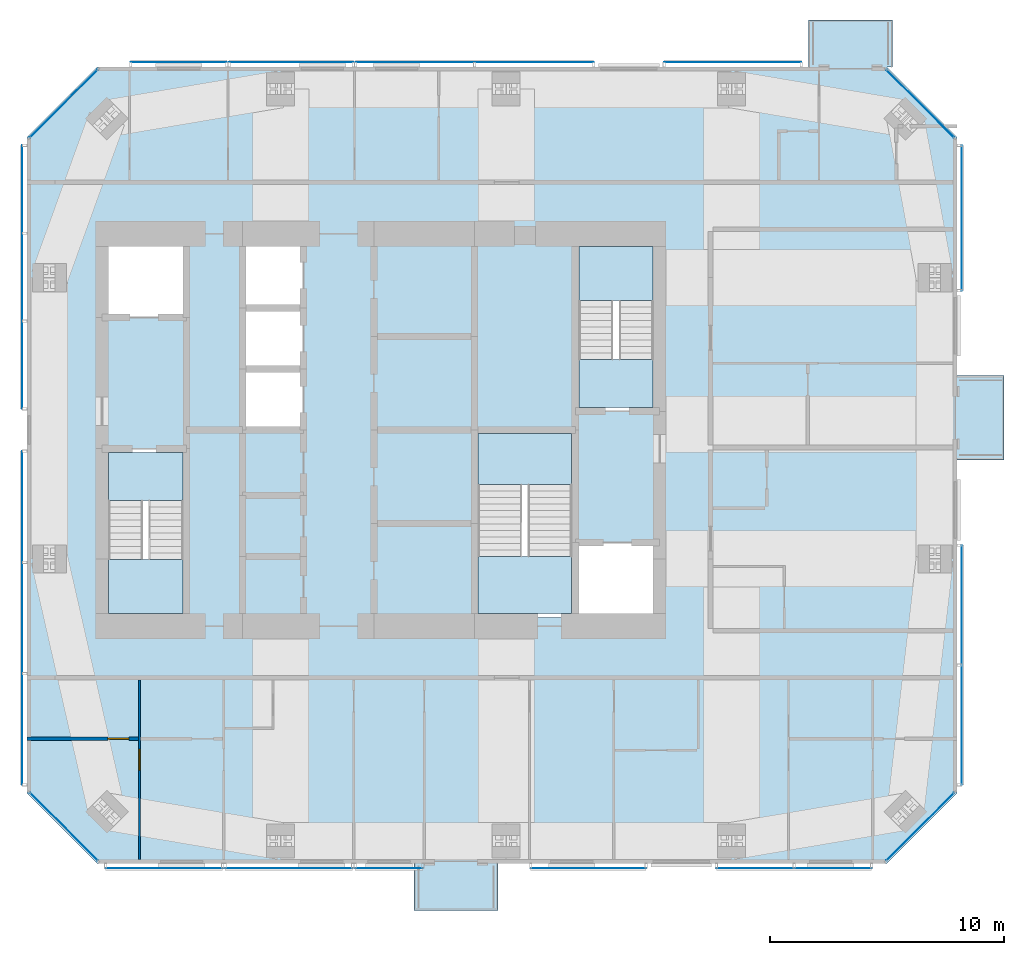
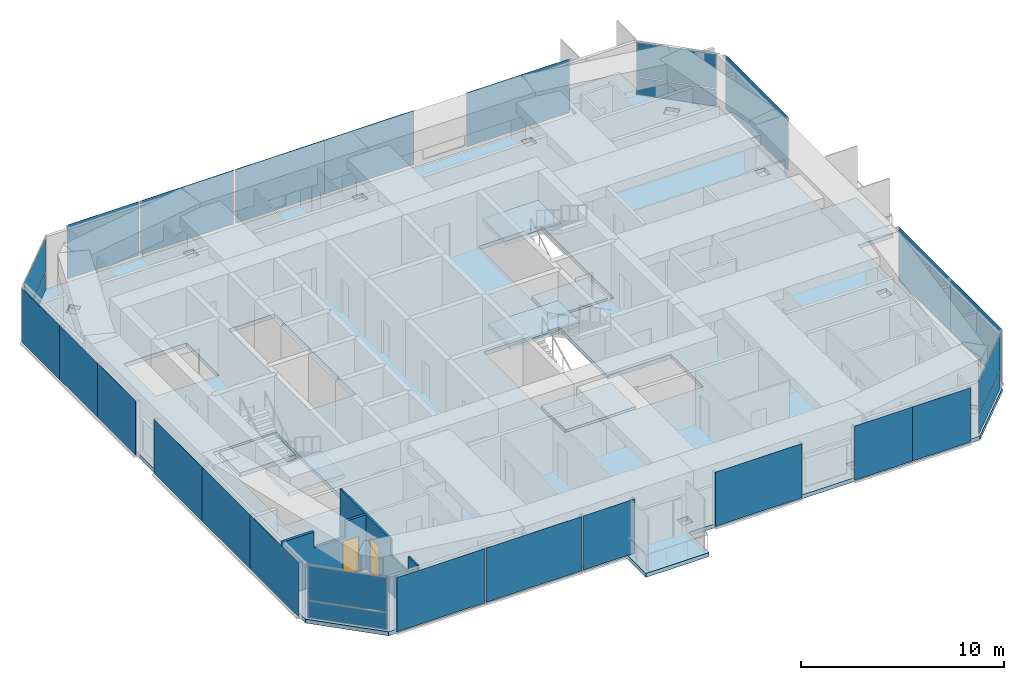
# One storey, part 12 of 18: 28 plates, 7 slabs, 2 doors, 2 walls, 2 openings, 20 elements without a shape of their own.
"""IFC4 building model written with IfcOpenShell, lengths in metres."""

from ifc_helpers import new_model, si_unit, direction, frame, frame_2d, origin, origin_2d, place, context, subcontext, project, spatial, polyline, rectangle, outline, extrude, material, layer, layer_set, constituent, constituent_set, type_object, element, fill, aggregate, save


model = new_model("IFC4")

# Units and contexts
model_context = context("Model", 3, precision=1e-05, world=origin(), true_north=direction((0.0, 1.0)))
body_context = subcontext(model_context, "Body", "Model", "MODEL_VIEW")
ifc_project = project(units=[si_unit("LENGTHUNIT", "METRE"), si_unit("AREAUNIT", "SQUARE_METRE"), si_unit("VOLUMEUNIT", "CUBIC_METRE"), si_unit("PLANEANGLEUNIT", "RADIAN"), si_unit("MASSUNIT", "GRAM", prefix="KILO")], contexts=[model_context])

# Site, building, storey
site_placement = place(None, origin())
site = spatial("IfcSite", under=ifc_project, at=site_placement, CompositionType="ELEMENT")
building_placement = place(site_placement, origin())
building = spatial("IfcBuilding", under=site, at=building_placement, Name="Jalousie Tower", CompositionType="ELEMENT")
storey_placement = place(building_placement, frame((0.0, 0.0, 256.449951171875)))
storey = spatial("IfcBuildingStorey", under=building, at=storey_placement, Name="L70", CompositionType="ELEMENT", Elevation=256.449951171875)

# Curtain wall, plates
ifc_material_1 = material(Name="Aluminium curtain wall", Category="aluminium")
curtain_wall_type_1 = type_object("IfcCurtainWallType", Name="CORNER WINDOW WALL", PredefinedType="USERDEFINED", material=ifc_material_1)
curtain_wall_1_placement = place(storey_placement, origin())
curtain_wall_1 = element("IfcCurtainWall", 1, at=curtain_wall_1_placement, inside=storey, type_object=curtain_wall_type_1, Name="Corner Window Wall L70 2", ObjectType="CORNER WINDOW WALL", PredefinedType="USERDEFINED")
ifc_material_2 = material(Name="Laminated impact-rated spandrel glass", Category="glass")
ifc_layer_1 = layer(ifc_material_2, 0.028076171875)
ifc_layer_set_1 = layer_set([ifc_layer_1], Name="Laminated impact-rated spandrel glass")
plate_type_1 = type_object("IfcPlateType", Name="CORNER WINDOW WALL PANEL", PredefinedType="CURTAIN_PANEL", material=ifc_layer_set_1)
plate_1_placement = place(storey_placement, frame((54.9306640625, 1.5693359375, 0.06005859375), z_axis=(0.0, 0.0, 1.0), x_axis=(0.707106781187, 0.707106781187, 0.0)))
plate_1 = element("IfcPlate", 2, at=plate_1_placement, type_object=plate_type_1, Name="CW-C panel 1.1", PredefinedType="CURTAIN_PANEL", context=body_context, shape_type="SweptSolid", body=[
    extrude(rectangle(XDim=4.071533203125, YDim=0.028076171875, at=origin_2d()), origin(), (0.0, 0.0, 1.0), 1.010009765625),
])
plate_2_placement = place(storey_placement, frame((54.9306640625, 1.5693359375, 1.1298828125), z_axis=(0.0, 0.0, 1.0), x_axis=(0.707106781187, 0.707106781187, 0.0)))
plate_2 = element("IfcPlate", 3, at=plate_2_placement, type_object=plate_type_1, Name="CW-C panel 1.2", PredefinedType="CURTAIN_PANEL", context=body_context, shape_type="SweptSolid", body=[
    extrude(rectangle(XDim=4.071533203125, YDim=0.028076171875, at=origin_2d()), origin(), (0.0, 0.0, 1.0), 2.070068359375),
])
aggregate(curtain_wall_1, [plate_1, plate_2])

curtain_wall_2_placement = place(storey_placement, origin())
curtain_wall_2 = element("IfcCurtainWall", 4, at=curtain_wall_2_placement, inside=storey, type_object=curtain_wall_type_1, Name="Corner Window Wall L70 4", ObjectType="CORNER WINDOW WALL", PredefinedType="USERDEFINED")
plate_3_placement = place(storey_placement, frame((54.9306640625, 32.4306640625, 0.06005859375), z_axis=(0.0, 0.0, 1.0), x_axis=(-0.707106781187, 0.707106781187, 0.0)))
plate_3 = element("IfcPlate", 5, at=plate_3_placement, type_object=plate_type_1, Name="CW-C panel 1.1", PredefinedType="CURTAIN_PANEL", context=body_context, shape_type="SweptSolid", body=[
    extrude(rectangle(XDim=4.071533203125, YDim=0.028076171875, at=origin_2d()), origin(), (0.0, 0.0, 1.0), 1.010009765625),
])
plate_4_placement = place(storey_placement, frame((54.9306640625, 32.4306640625, 1.1298828125), z_axis=(0.0, 0.0, 1.0), x_axis=(-0.707106781187, 0.707106781187, 0.0)))
plate_4 = element("IfcPlate", 6, at=plate_4_placement, type_object=plate_type_1, Name="CW-C panel 1.2", PredefinedType="CURTAIN_PANEL", context=body_context, shape_type="SweptSolid", body=[
    extrude(rectangle(XDim=4.071533203125, YDim=0.028076171875, at=origin_2d()), origin(), (0.0, 0.0, 1.0), 2.070068359375),
])
aggregate(curtain_wall_2, [plate_3, plate_4])

curtain_wall_3_placement = place(storey_placement, origin())
curtain_wall_3 = element("IfcCurtainWall", 7, at=curtain_wall_3_placement, inside=storey, type_object=curtain_wall_type_1, Name="Corner Window Wall L70 6", ObjectType="CORNER WINDOW WALL", PredefinedType="USERDEFINED")
plate_5_placement = place(storey_placement, frame((18.369384765625, 32.4306640625, 0.06005859375), z_axis=(0.0, 0.0, 1.0), x_axis=(-0.707106781187, -0.707106781187, 0.0)))
plate_5 = element("IfcPlate", 8, at=plate_5_placement, type_object=plate_type_1, Name="CW-C panel 1.1", PredefinedType="CURTAIN_PANEL", context=body_context, shape_type="SweptSolid", body=[
    extrude(rectangle(XDim=4.071533203125, YDim=0.028076171875, at=origin_2d()), origin(), (0.0, 0.0, 1.0), 1.010009765625),
])
plate_6_placement = place(storey_placement, frame((18.369384765625, 32.4306640625, 1.1298828125), z_axis=(0.0, 0.0, 1.0), x_axis=(-0.707106781187, -0.707106781187, 0.0)))
plate_6 = element("IfcPlate", 9, at=plate_6_placement, type_object=plate_type_1, Name="CW-C panel 1.2", PredefinedType="CURTAIN_PANEL", context=body_context, shape_type="SweptSolid", body=[
    extrude(rectangle(XDim=4.071533203125, YDim=0.028076171875, at=origin_2d()), origin(), (0.0, 0.0, 1.0), 2.070068359375),
])
aggregate(curtain_wall_3, [plate_5, plate_6])

curtain_wall_4_placement = place(storey_placement, origin())
curtain_wall_4 = element("IfcCurtainWall", 10, at=curtain_wall_4_placement, inside=storey, type_object=curtain_wall_type_1, Name="Corner Window Wall L70 8", ObjectType="CORNER WINDOW WALL", PredefinedType="USERDEFINED")
plate_7_placement = place(storey_placement, frame((18.369384765625, 1.5693359375, 0.06005859375), z_axis=(0.0, 0.0, 1.0), x_axis=(0.707106781187, -0.707106781187, 0.0)))
plate_7 = element("IfcPlate", 11, at=plate_7_placement, type_object=plate_type_1, Name="CW-C panel 1.1", PredefinedType="CURTAIN_PANEL", context=body_context, shape_type="SweptSolid", body=[
    extrude(rectangle(XDim=4.071533203125, YDim=0.028076171875, at=origin_2d()), origin(), (0.0, 0.0, 1.0), 1.010009765625),
])
plate_8_placement = place(storey_placement, frame((18.369384765625, 1.5693359375, 1.1298828125), z_axis=(0.0, 0.0, 1.0), x_axis=(0.707106781187, -0.707106781187, 0.0)))
plate_8 = element("IfcPlate", 12, at=plate_8_placement, type_object=plate_type_1, Name="CW-C panel 1.2", PredefinedType="CURTAIN_PANEL", context=body_context, shape_type="SweptSolid", body=[
    extrude(rectangle(XDim=4.071533203125, YDim=0.028076171875, at=origin_2d()), origin(), (0.0, 0.0, 1.0), 2.070068359375),
])
aggregate(curtain_wall_4, [plate_7, plate_8])

# Slab
ifc_material_3 = material(Name="Concrete f'c 40 MPa", Category="concrete")
ifc_layer_2 = layer(ifc_material_3, 0.239990234375)
ifc_layer_set_2 = layer_set([ifc_layer_2], Name="Concrete f'c 40 MPa")
slab_type_1 = type_object("IfcSlabType", Name="FLOOR SLAB 240", PredefinedType="FLOOR", material=ifc_layer_set_2)
slab_1_placement = place(storey_placement, frame((0.0, 0.0, -0.239990234375)))
element("IfcSlab", 13, at=slab_1_placement, inside=storey, type_object=slab_type_1, Name="L70 floor slab", PredefinedType="FLOOR", context=body_context, shape_type="SweptSolid", body=[
    extrude(outline(polyline([(19.800048828125, 34.0), (50.148681640625, 34.0), (50.148681640625, 36.0), (53.748779296875, 36.0), (53.748779296875, 34.0), (53.5, 34.0), (56.5, 31.0), (56.5, 20.824951171875), (58.5, 20.824951171875), (58.5, 17.22509765625), (56.5, 17.22509765625), (56.5, 3.0), (53.5, 0.0), (36.909912109375, 0.0), (36.909912109375, -2.0), (33.31005859375, -2.0), (33.31005859375, 0.0), (19.800048828125, 0.0), (16.800048828125, 3.0), (16.800048828125, 31.0), (19.800048828125, 34.0)]), holes=[polyline([(55.263916015625, 25.300048828125), (55.263916015625, 24.699951171875), (55.836181640625, 24.699951171875), (55.836181640625, 25.300048828125), (55.263916015625, 25.300048828125)]), polyline([(55.836181640625, 12.699951171875), (55.836181640625, 13.300048828125), (55.263916015625, 13.300048828125), (55.263916015625, 12.699951171875), (55.836181640625, 12.699951171875)]), polyline([(54.337890625, 2.656982421875), (53.843017578125, 2.162109375), (54.247802734375, 1.757080078125), (54.742919921875, 2.252197265625), (54.337890625, 2.656982421875)]), polyline([(54.742919921875, 31.747802734375), (54.247802734375, 32.242919921875), (53.843017578125, 31.837890625), (54.337890625, 31.343017578125), (54.742919921875, 31.747802734375)]), polyline([(47.175048828125, 33.336181640625), (46.574951171875, 33.336181640625), (46.574951171875, 32.763916015625), (47.175048828125, 32.763916015625), (47.175048828125, 33.336181640625)]), polyline([(47.175048828125, 1.236083984375), (46.574951171875, 1.236083984375), (46.574951171875, 0.663818359375), (47.175048828125, 0.663818359375), (47.175048828125, 1.236083984375)]), polyline([(40.199951171875, 26.5), (40.199951171875, 19.300048828125), (43.800048828125, 19.300048828125), (43.800048828125, 26.5), (40.199951171875, 26.5)]), polyline([(40.199951171875, 13.699951171875), (40.199951171875, 18.5), (35.89990234375, 18.5), (35.89990234375, 10.5), (43.800048828125, 10.5), (43.800048828125, 13.699951171875), (40.199951171875, 13.699951171875)]), polyline([(36.949951171875, 0.663818359375), (37.550048828125, 0.663818359375), (37.550048828125, 1.236083984375), (36.949951171875, 1.236083984375), (36.949951171875, 0.663818359375)]), polyline([(37.550048828125, 33.336181640625), (36.949951171875, 33.336181640625), (36.949951171875, 32.763916015625), (37.550048828125, 32.763916015625), (37.550048828125, 33.336181640625)]), polyline([(26.0, 26.5), (26.0, 18.5), (28.60009765625, 18.5), (28.60009765625, 26.5), (26.0, 26.5)]), polyline([(27.925048828125, 33.336181640625), (27.324951171875, 33.336181640625), (27.324951171875, 32.763916015625), (27.925048828125, 32.763916015625), (27.925048828125, 33.336181640625)]), polyline([(27.925048828125, 1.236083984375), (27.324951171875, 1.236083984375), (27.324951171875, 0.663818359375), (27.925048828125, 0.663818359375), (27.925048828125, 1.236083984375)]), polyline([(20.0, 26.5), (20.0, 23.300048828125), (23.60009765625, 23.300048828125), (23.60009765625, 26.5), (20.0, 26.5)]), polyline([(20.0, 17.699951171875), (20.0, 10.5), (23.60009765625, 10.5), (23.60009765625, 17.699951171875), (20.0, 17.699951171875)]), polyline([(20.656982421875, 2.162109375), (20.162109375, 2.656982421875), (19.757080078125, 2.252197265625), (20.252197265625, 1.757080078125), (20.656982421875, 2.162109375)]), polyline([(20.656982421875, 31.837890625), (20.252197265625, 32.242919921875), (19.757080078125, 31.747802734375), (20.162109375, 31.343017578125), (20.656982421875, 31.837890625)]), polyline([(17.4638671875, 13.300048828125), (17.4638671875, 12.699951171875), (18.0361328125, 12.699951171875), (18.0361328125, 13.300048828125), (17.4638671875, 13.300048828125)]), polyline([(18.0361328125, 24.699951171875), (18.0361328125, 25.300048828125), (17.4638671875, 25.300048828125), (17.4638671875, 24.699951171875), (18.0361328125, 24.699951171875)])]), origin(), (0.0, 0.0, 1.0), 0.239990234375),
])

# Curtain wall, plate
ifc_material_4 = material(Name="Perforated aluminium sheet", Category="aluminium")
curtain_wall_type_2 = type_object("IfcCurtainWallType", Name="SOLAR SCREEN SS-2", PredefinedType="USERDEFINED", material=ifc_material_4)
curtain_wall_5_placement = place(storey_placement, origin())
curtain_wall_5 = element("IfcCurtainWall", 14, at=curtain_wall_5_placement, inside=storey, type_object=curtain_wall_type_2, Name="Solar screen L70", ObjectType="SOLAR SCREEN SS-2", PredefinedType="USERDEFINED")
ifc_material_5 = material(Name="Perforated aluminium sheet", Category="aluminium")
ifc_layer_3 = layer(ifc_material_5, 0.006103515625)
ifc_layer_set_3 = layer_set([ifc_layer_3], Name="Perforated aluminium sheet")
plate_type_2 = type_object("IfcPlateType", Name="SOLAR SCREEN SS-2 PANEL", PredefinedType="CURTAIN_PANEL", material=ifc_layer_set_3)
plate_9_placement = place(storey_placement, frame((22.650634765625, -0.201171875, 0.0), z_axis=(0.0, 0.0, 1.0), x_axis=(1.0, 0.0, 0.0)))
plate_9 = element("IfcPlate", 15, at=plate_9_placement, type_object=plate_type_2, Name="SS2 perforated panel 1", PredefinedType="CURTAIN_PANEL", context=body_context, shape_type="SweptSolid", body=[
    extrude(rectangle(XDim=4.998779296875, YDim=0.006103515625, at=origin_2d()), origin(), (0.0, 0.0, 1.0), 3.260009765625),
])
aggregate(curtain_wall_5, [plate_9])

curtain_wall_6_placement = place(storey_placement, origin())
curtain_wall_6 = element("IfcCurtainWall", 16, at=curtain_wall_6_placement, inside=storey, type_object=curtain_wall_type_2, Name="Solar screen L70", ObjectType="SOLAR SCREEN SS-2", PredefinedType="USERDEFINED")
plate_10_placement = place(storey_placement, frame((27.97509765625, -0.201171875, 0.0), z_axis=(0.0, 0.0, 1.0), x_axis=(1.0, 0.0, 0.0)))
plate_10 = element("IfcPlate", 17, at=plate_10_placement, type_object=plate_type_2, Name="SS2 perforated panel 1", PredefinedType="CURTAIN_PANEL", context=body_context, shape_type="SweptSolid", body=[
    extrude(rectangle(XDim=5.449951171875, YDim=0.006103515625, at=origin_2d()), origin(), (0.0, 0.0, 1.0), 3.260009765625),
])
aggregate(curtain_wall_6, [plate_10])

curtain_wall_7_placement = place(storey_placement, origin())
curtain_wall_7 = element("IfcCurtainWall", 18, at=curtain_wall_7_placement, inside=storey, type_object=curtain_wall_type_2, Name="Solar screen L70", ObjectType="SOLAR SCREEN SS-2", PredefinedType="USERDEFINED")
plate_11_placement = place(storey_placement, frame((32.25, -0.201171875, 0.0), z_axis=(0.0, 0.0, 1.0), x_axis=(1.0, 0.0, 0.0)))
plate_11 = element("IfcPlate", 19, at=plate_11_placement, type_object=plate_type_2, Name="SS2 perforated panel 1", PredefinedType="CURTAIN_PANEL", context=body_context, shape_type="SweptSolid", body=[
    extrude(rectangle(XDim=2.89990234375, YDim=0.006103515625, at=origin_2d()), origin(), (0.0, 0.0, 1.0), 3.260009765625),
])
aggregate(curtain_wall_7, [plate_11])

curtain_wall_8_placement = place(storey_placement, origin())
curtain_wall_8 = element("IfcCurtainWall", 20, at=curtain_wall_8_placement, inside=storey, type_object=curtain_wall_type_2, Name="Solar screen L70", ObjectType="SOLAR SCREEN SS-2", PredefinedType="USERDEFINED")
plate_12_placement = place(storey_placement, frame((40.762451171875, -0.201171875, 0.0), z_axis=(0.0, 0.0, 1.0), x_axis=(1.0, 0.0, 0.0)))
plate_12 = element("IfcPlate", 21, at=plate_12_placement, type_object=plate_type_2, Name="SS2 perforated panel 1", PredefinedType="CURTAIN_PANEL", context=body_context, shape_type="SweptSolid", body=[
    extrude(rectangle(XDim=4.925048828125, YDim=0.006103515625, at=origin_2d()), origin(), (0.0, 0.0, 1.0), 3.260009765625),
])
aggregate(curtain_wall_8, [plate_12])

# Curtain wall, plates
curtain_wall_9_placement = place(storey_placement, origin())
curtain_wall_9 = element("IfcCurtainWall", 22, at=curtain_wall_9_placement, inside=storey, type_object=curtain_wall_type_2, Name="Solar screen L70", ObjectType="SOLAR SCREEN SS-2", PredefinedType="USERDEFINED")
plate_13_placement = place(storey_placement, frame((47.88134765625, -0.201171875, 0.0), z_axis=(0.0, 0.0, 1.0), x_axis=(1.0, 0.0, 0.0)))
plate_13 = element("IfcPlate", 23, at=plate_13_placement, type_object=plate_type_2, Name="SS2 perforated panel 1", PredefinedType="CURTAIN_PANEL", context=body_context, shape_type="SweptSolid", body=[
    extrude(rectangle(XDim=3.3125, YDim=0.006103515625, at=origin_2d()), origin(), (0.0, 0.0, 1.0), 3.260009765625),
])
plate_14_placement = place(storey_placement, frame((51.19384765625, -0.201171875, 0.0), z_axis=(0.0, 0.0, 1.0), x_axis=(1.0, 0.0, 0.0)))
plate_14 = element("IfcPlate", 24, at=plate_14_placement, type_object=plate_type_2, Name="SS2 perforated panel 2", PredefinedType="CURTAIN_PANEL", context=body_context, shape_type="SweptSolid", body=[
    extrude(rectangle(XDim=3.3125, YDim=0.006103515625, at=origin_2d()), origin(), (0.0, 0.0, 1.0), 3.260009765625),
])
aggregate(curtain_wall_9, [plate_13, plate_14])

curtain_wall_10_placement = place(storey_placement, origin())
curtain_wall_10 = element("IfcCurtainWall", 25, at=curtain_wall_10_placement, inside=storey, type_object=curtain_wall_type_2, Name="Solar screen L70", ObjectType="SOLAR SCREEN SS-2", PredefinedType="USERDEFINED")
plate_15_placement = place(storey_placement, frame((56.701171875, 5.908935546875, 0.0), z_axis=(0.0, 0.0, 1.0), x_axis=(0.0, 1.0, 0.0)))
plate_15 = element("IfcPlate", 26, at=plate_15_placement, type_object=plate_type_2, Name="SS2 perforated panel 1", PredefinedType="CURTAIN_PANEL", context=body_context, shape_type="SweptSolid", body=[
    extrude(rectangle(XDim=5.115234375, YDim=0.006103515625, at=origin_2d()), origin(), (0.0, 0.0, 1.0), 3.260009765625),
])
plate_16_placement = place(storey_placement, frame((56.701171875, 11.024169921875, 0.0), z_axis=(0.0, 0.0, 1.0), x_axis=(0.0, 1.0, 0.0)))
plate_16 = element("IfcPlate", 27, at=plate_16_placement, type_object=plate_type_2, Name="SS2 perforated panel 2", PredefinedType="CURTAIN_PANEL", context=body_context, shape_type="SweptSolid", body=[
    extrude(rectangle(XDim=5.115234375, YDim=0.006103515625, at=origin_2d()), origin(), (0.0, 0.0, 1.0), 3.260009765625),
])
aggregate(curtain_wall_10, [plate_15, plate_16])

# Curtain wall, plate
curtain_wall_11_placement = place(storey_placement, origin())
curtain_wall_11 = element("IfcCurtainWall", 28, at=curtain_wall_11_placement, inside=storey, type_object=curtain_wall_type_2, Name="Solar screen L70", ObjectType="SOLAR SCREEN SS-2", PredefinedType="USERDEFINED")
plate_17_placement = place(storey_placement, frame((56.701171875, 27.54931640625, 0.0), z_axis=(0.0, 0.0, 1.0), x_axis=(0.0, 1.0, 0.0)))
plate_17 = element("IfcPlate", 29, at=plate_17_placement, type_object=plate_type_2, Name="SS2 perforated panel 1", PredefinedType="CURTAIN_PANEL", context=body_context, shape_type="SweptSolid", body=[
    extrude(rectangle(XDim=6.19873046875, YDim=0.006103515625, at=origin_2d()), origin(), (0.0, 0.0, 1.0), 3.260009765625),
])
aggregate(curtain_wall_11, [plate_17])

curtain_wall_12_placement = place(storey_placement, origin())
curtain_wall_12 = element("IfcCurtainWall", 30, at=curtain_wall_12_placement, inside=storey, type_object=curtain_wall_type_2, Name="Solar screen L70", ObjectType="SOLAR SCREEN SS-2", PredefinedType="USERDEFINED")
plate_18_placement = place(storey_placement, frame((46.918701171875, 34.201171875, 0.0), z_axis=(0.0, 0.0, 1.0), x_axis=(-1.0, 0.0, 0.0)))
plate_18 = element("IfcPlate", 31, at=plate_18_placement, type_object=plate_type_2, Name="SS2 perforated panel 1", PredefinedType="CURTAIN_PANEL", context=body_context, shape_type="SweptSolid", body=[
    extrude(rectangle(XDim=5.860107421875, YDim=0.006103515625, at=origin_2d()), origin(), (0.0, 0.0, 1.0), 3.260009765625),
])
aggregate(curtain_wall_12, [plate_18])

# Curtain wall, plates
curtain_wall_13_placement = place(storey_placement, origin())
curtain_wall_13 = element("IfcCurtainWall", 32, at=curtain_wall_13_placement, inside=storey, type_object=curtain_wall_type_2, Name="Solar screen L70", ObjectType="SOLAR SCREEN SS-2", PredefinedType="USERDEFINED")
plate_19_placement = place(storey_placement, frame((38.44775390625, 34.201171875, 0.0), z_axis=(0.0, 0.0, 1.0), x_axis=(-1.0, 0.0, 0.0)))
plate_19 = element("IfcPlate", 33, at=plate_19_placement, type_object=plate_type_2, Name="SS2 perforated panel 1", PredefinedType="CURTAIN_PANEL", context=body_context, shape_type="SweptSolid", body=[
    extrude(rectangle(XDim=5.081787109375, YDim=0.006103515625, at=origin_2d()), origin(), (0.0, 0.0, 1.0), 3.260009765625),
])
plate_20_placement = place(storey_placement, frame((33.365966796875, 34.201171875, 0.0), z_axis=(0.0, 0.0, 1.0), x_axis=(-1.0, 0.0, 0.0)))
plate_20 = element("IfcPlate", 34, at=plate_20_placement, type_object=plate_type_2, Name="SS2 perforated panel 2", PredefinedType="CURTAIN_PANEL", context=body_context, shape_type="SweptSolid", body=[
    extrude(rectangle(XDim=5.081787109375, YDim=0.006103515625, at=origin_2d()), origin(), (0.0, 0.0, 1.0), 3.260009765625),
])
aggregate(curtain_wall_13, [plate_19, plate_20])

# Curtain wall, plate
curtain_wall_14_placement = place(storey_placement, origin())
curtain_wall_14 = element("IfcCurtainWall", 35, at=curtain_wall_14_placement, inside=storey, type_object=curtain_wall_type_2, Name="Solar screen L70", ObjectType="SOLAR SCREEN SS-2", PredefinedType="USERDEFINED")
plate_21_placement = place(storey_placement, frame((28.074951171875, 34.201171875, 0.0), z_axis=(0.0, 0.0, 1.0), x_axis=(-1.0, 0.0, 0.0)))
plate_21 = element("IfcPlate", 36, at=plate_21_placement, type_object=plate_type_2, Name="SS2 perforated panel 1", PredefinedType="CURTAIN_PANEL", context=body_context, shape_type="SweptSolid", body=[
    extrude(rectangle(XDim=5.300048828125, YDim=0.006103515625, at=origin_2d()), origin(), (0.0, 0.0, 1.0), 3.260009765625),
])
aggregate(curtain_wall_14, [plate_21])

curtain_wall_15_placement = place(storey_placement, origin())
curtain_wall_15 = element("IfcCurtainWall", 37, at=curtain_wall_15_placement, inside=storey, type_object=curtain_wall_type_2, Name="Solar screen L70", ObjectType="SOLAR SCREEN SS-2", PredefinedType="USERDEFINED")
plate_22_placement = place(storey_placement, frame((23.275634765625, 34.201171875, 0.0), z_axis=(0.0, 0.0, 1.0), x_axis=(-1.0, 0.0, 0.0)))
plate_22 = element("IfcPlate", 38, at=plate_22_placement, type_object=plate_type_2, Name="SS2 perforated panel 1", PredefinedType="CURTAIN_PANEL", context=body_context, shape_type="SweptSolid", body=[
    extrude(rectangle(XDim=4.0986328125, YDim=0.006103515625, at=origin_2d()), origin(), (0.0, 0.0, 1.0), 3.260009765625),
])
aggregate(curtain_wall_15, [plate_22])

# Curtain wall, plates
curtain_wall_16_placement = place(storey_placement, origin())
curtain_wall_16 = element("IfcCurtainWall", 39, at=curtain_wall_16_placement, inside=storey, type_object=curtain_wall_type_2, Name="Solar screen L70", ObjectType="SOLAR SCREEN SS-2", PredefinedType="USERDEFINED")
plate_23_placement = place(storey_placement, frame((16.598876953125, 28.77392578125, 0.0), z_axis=(0.0, 0.0, 1.0), x_axis=(0.0, -1.0, 0.0)))
plate_23 = element("IfcPlate", 40, at=plate_23_placement, type_object=plate_type_2, Name="SS2 perforated panel 1", PredefinedType="CURTAIN_PANEL", context=body_context, shape_type="SweptSolid", body=[
    extrude(rectangle(XDim=3.74951171875, YDim=0.006103515625, at=origin_2d()), origin(), (0.0, 0.0, 1.0), 3.260009765625),
])
plate_24_placement = place(storey_placement, frame((16.598876953125, 25.0244140625, 0.0), z_axis=(0.0, 0.0, 1.0), x_axis=(0.0, -1.0, 0.0)))
plate_24 = element("IfcPlate", 41, at=plate_24_placement, type_object=plate_type_2, Name="SS2 perforated panel 2", PredefinedType="CURTAIN_PANEL", context=body_context, shape_type="SweptSolid", body=[
    extrude(rectangle(XDim=3.74951171875, YDim=0.006103515625, at=origin_2d()), origin(), (0.0, 0.0, 1.0), 3.260009765625),
])
plate_25_placement = place(storey_placement, frame((16.598876953125, 21.27490234375, 0.0), z_axis=(0.0, 0.0, 1.0), x_axis=(0.0, -1.0, 0.0)))
plate_25 = element("IfcPlate", 42, at=plate_25_placement, type_object=plate_type_2, Name="SS2 perforated panel 3", PredefinedType="CURTAIN_PANEL", context=body_context, shape_type="SweptSolid", body=[
    extrude(rectangle(XDim=3.74951171875, YDim=0.006103515625, at=origin_2d()), origin(), (0.0, 0.0, 1.0), 3.260009765625),
])
aggregate(curtain_wall_16, [plate_23, plate_24, plate_25])

curtain_wall_17_placement = place(storey_placement, origin())
curtain_wall_17 = element("IfcCurtainWall", 43, at=curtain_wall_17_placement, inside=storey, type_object=curtain_wall_type_2, Name="Solar screen L70", ObjectType="SOLAR SCREEN SS-2", PredefinedType="USERDEFINED")
plate_26_placement = place(storey_placement, frame((16.598876953125, 15.22509765625, 0.0), z_axis=(0.0, 0.0, 1.0), x_axis=(0.0, -1.0, 0.0)))
plate_26 = element("IfcPlate", 44, at=plate_26_placement, type_object=plate_type_2, Name="SS2 perforated panel 1", PredefinedType="CURTAIN_PANEL", context=body_context, shape_type="SweptSolid", body=[
    extrude(rectangle(XDim=4.74951171875, YDim=0.006103515625, at=origin_2d()), origin(), (0.0, 0.0, 1.0), 3.260009765625),
])
plate_27_placement = place(storey_placement, frame((16.598876953125, 10.4755859375, 0.0), z_axis=(0.0, 0.0, 1.0), x_axis=(0.0, -1.0, 0.0)))
plate_27 = element("IfcPlate", 45, at=plate_27_placement, type_object=plate_type_2, Name="SS2 perforated panel 2", PredefinedType="CURTAIN_PANEL", context=body_context, shape_type="SweptSolid", body=[
    extrude(rectangle(XDim=4.74951171875, YDim=0.006103515625, at=origin_2d()), origin(), (0.0, 0.0, 1.0), 3.260009765625),
])
plate_28_placement = place(storey_placement, frame((16.598876953125, 5.72607421875, 0.0), z_axis=(0.0, 0.0, 1.0), x_axis=(0.0, -1.0, 0.0)))
plate_28 = element("IfcPlate", 46, at=plate_28_placement, type_object=plate_type_2, Name="SS2 perforated panel 3", PredefinedType="CURTAIN_PANEL", context=body_context, shape_type="SweptSolid", body=[
    extrude(rectangle(XDim=4.74951171875, YDim=0.006103515625, at=origin_2d()), origin(), (0.0, 0.0, 1.0), 3.260009765625),
])
aggregate(curtain_wall_17, [plate_26, plate_27, plate_28])

# Stair, slabs
ifc_material_6 = material(Name="Concrete f'c 40 MPa", Category="concrete")
stair_type = type_object("IfcStairType", Name="EXIT STAIR", PredefinedType="HALF_TURN_STAIR", material=ifc_material_6)
stair_1_placement = place(storey_placement, origin())
stair_1 = element("IfcStair", 47, at=stair_1_placement, inside=storey, type_object=stair_type, Name="Exit stair A L70", PredefinedType="HALF_TURN_STAIR")
ifc_material_7 = material(Name="Concrete f'c 40 MPa", Category="concrete")
ifc_layer_4 = layer(ifc_material_7, 0.25)
ifc_layer_set_4 = layer_set([ifc_layer_4], Name="Concrete f'c 40 MPa")
slab_type_2 = type_object("IfcSlabType", Name="STAIR LANDING 250", PredefinedType="LANDING", material=ifc_layer_set_4)
slab_2_placement = place(storey_placement, frame((0.0, 0.0, -0.25)))
slab_2 = element("IfcSlab", 48, at=slab_2_placement, type_object=slab_type_2, Name="ST-A landing 1", PredefinedType="LANDING", context=body_context, shape_type="SweptSolid", body=[
    extrude(outline(polyline([(20.27490234375, 15.49755859375), (23.449951171875, 15.49755859375), (23.449951171875, 17.550048828125), (20.27490234375, 17.550048828125), (20.27490234375, 15.49755859375)])), origin(), (0.0, 0.0, 1.0), 0.25),
])
slab_3_placement = place(storey_placement, frame((0.0, 0.0, 1.5)))
slab_3 = element("IfcSlab", 49, at=slab_3_placement, type_object=slab_type_2, Name="ST-A landing 2", PredefinedType="LANDING", context=body_context, shape_type="SweptSolid", body=[
    extrude(outline(polyline([(20.27490234375, 10.675048828125), (23.449951171875, 10.675048828125), (23.449951171875, 12.9775390625), (20.27490234375, 12.9775390625), (20.27490234375, 10.675048828125)])), origin(), (0.0, 0.0, 1.0), 0.25),
])
aggregate(stair_1, [slab_2, slab_3])

stair_2_placement = place(storey_placement, origin())
stair_2 = element("IfcStair", 50, at=stair_2_placement, inside=storey, type_object=stair_type, Name="Exit stair B L70", PredefinedType="HALF_TURN_STAIR")
slab_4_placement = place(storey_placement, frame((0.0, 0.0, -0.25)))
slab_4 = element("IfcSlab", 51, at=slab_4_placement, type_object=slab_type_2, Name="ST-B landing 1", PredefinedType="LANDING", context=body_context, shape_type="SweptSolid", body=[
    extrude(outline(polyline([(40.35009765625, 19.449951171875), (43.52490234375, 19.449951171875), (43.52490234375, 21.50244140625), (40.35009765625, 21.50244140625), (40.35009765625, 19.449951171875)])), origin(), (0.0, 0.0, 1.0), 0.25),
])
slab_5_placement = place(storey_placement, frame((0.0, 0.0, 1.5)))
slab_5 = element("IfcSlab", 52, at=slab_5_placement, type_object=slab_type_2, Name="ST-B landing 2", PredefinedType="LANDING", context=body_context, shape_type="SweptSolid", body=[
    extrude(outline(polyline([(40.35009765625, 24.0224609375), (43.52490234375, 24.0224609375), (43.52490234375, 26.324951171875), (40.35009765625, 26.324951171875), (40.35009765625, 24.0224609375)])), origin(), (0.0, 0.0, 1.0), 0.25),
])
aggregate(stair_2, [slab_4, slab_5])

stair_3_placement = place(storey_placement, origin())
stair_3 = element("IfcStair", 53, at=stair_3_placement, inside=storey, type_object=stair_type, Name="Exit stair C L70", PredefinedType="HALF_TURN_STAIR")
slab_6_placement = place(storey_placement, frame((0.0, 0.0, -0.25)))
slab_6 = element("IfcSlab", 54, at=slab_6_placement, type_object=slab_type_2, Name="ST-C landing 1", PredefinedType="LANDING", context=body_context, shape_type="SweptSolid", body=[
    extrude(outline(polyline([(36.050048828125, 10.675048828125), (40.050048828125, 10.675048828125), (40.050048828125, 13.097412109375), (36.050048828125, 13.097412109375), (36.050048828125, 10.675048828125)])), origin(), (0.0, 0.0, 1.0), 0.25),
])
slab_7_placement = place(storey_placement, frame((0.0, 0.0, 1.5)))
slab_7 = element("IfcSlab", 55, at=slab_7_placement, type_object=slab_type_2, Name="ST-C landing 2", PredefinedType="LANDING", context=body_context, shape_type="SweptSolid", body=[
    extrude(outline(polyline([(36.050048828125, 16.177490234375), (40.050048828125, 16.177490234375), (40.050048828125, 18.35009765625), (36.050048828125, 18.35009765625), (36.050048828125, 16.177490234375)])), origin(), (0.0, 0.0, 1.0), 0.25),
])
aggregate(stair_3, [slab_6, slab_7])

# Wall, opening, door
ifc_material_8 = material(Name="Concrete block ASTM C90", Category="concrete")
ifc_constituent_1 = constituent(ifc_material_8, Name="Body")
ifc_material_9 = material(Name="Render")
ifc_constituent_2 = constituent(ifc_material_9, Name="Finish")
ifc_constituent_set_1 = constituent_set(constituents=[ifc_constituent_1, ifc_constituent_2])
wall_type_1 = type_object("IfcWallType", Name="BATHROOM WALL 150", PredefinedType="PLUMBINGWALL", material=ifc_constituent_set_1)
wall_1_placement = place(storey_placement, frame((16.800048828125, 5.324951171875, 0.0), z_axis=(0.0, 0.0, 1.0), x_axis=(1.0, 0.0, 0.0)))
wall_1 = element("IfcWall", 56, at=wall_1_placement, inside=storey, type_object=wall_type_1, Name="Bathroom Wall 150 L70", PredefinedType="PLUMBINGWALL", context=body_context, shape_type="SweptSolid", body=[
    extrude(outline(polyline([(0.0, 0.0), (4.75, 0.0), (4.75, 3.260009765625), (3.60498046875, 3.260009765625), (3.60498046875, 2.300048828125), (1.78955078125, 2.300048828125), (1.78955078125, 3.260009765625), (0.0, 3.260009765625), (0.0, 0.0)])), frame((0.0, 0.074951171875, 0.0), z_axis=(0.0, -1.0, 0.0), x_axis=(1.0, 0.0, 0.0)), (0.0, 0.0, 1.0), 0.14990234375),
])
opening_1_placement = place(wall_1_placement, frame((3.449951171875, 0.0, 0.0)))
opening_1 = element("IfcOpeningElement", 57, at=opening_1_placement, cuts=wall_1, Name="Opening D3", PredefinedType="OPENING", context=body_context, shape_type="SweptSolid", body=[
    extrude(rectangle(XDim=0.89990234375, YDim=2.10009765625, at=frame_2d((0.449951171875, 1.050048828125))), frame((0.0, 0.0849609375, 0.0), z_axis=(0.0, -1.0, 0.0), x_axis=(1.0, 0.0, 0.0)), (0.0, 0.0, 1.0), 0.169921875),
])
ifc_material_10 = material(Name="Timber door", Category="wood")
door_type_1 = type_object("IfcDoorType", Name="BATHROOM DOOR 900", OperationType="SINGLE_SWING_LEFT", PredefinedType="DOOR", material=ifc_material_10)
door_1_placement = place(opening_1_placement, origin())
door_1 = element("IfcDoor", 58, at=door_1_placement, inside=storey, type_object=door_type_1, Name="Apartment 7001 bedroom 1 bathroom door", OperationType="SINGLE_SWING_RIGHT", OverallHeight=2.10009765625, OverallWidth=0.89990234375, PredefinedType="DOOR", context=body_context, shape_type="SweptSolid", body=[
    extrude(rectangle(XDim=0.89990234375, YDim=2.10009765625, at=frame_2d((0.449951171875, 1.050048828125))), frame((0.0, 0.02490234375, 0.0), z_axis=(0.0, -1.0, 0.0), x_axis=(1.0, 0.0, 0.0)), (0.0, 0.0, 1.0), 0.050048828125),
])
fill(opening_1, door_1)

ifc_material_11 = material(Name="Gypsum board", Category="gypsum")
ifc_constituent_3 = constituent(ifc_material_11, Name="Body")
ifc_material_12 = material(Name="Light-gauge steel studs ASTM A653 SS Grade 33", Category="steel")
ifc_constituent_4 = constituent(ifc_material_12, Name="Framing")
ifc_constituent_set_2 = constituent_set(constituents=[ifc_constituent_3, ifc_constituent_4])
wall_type_2 = type_object("IfcWallType", Name="PARTITION 100", PredefinedType="PARTITIONING", material=ifc_constituent_set_2)
wall_2_placement = place(storey_placement, frame((21.60009765625, 0.175048828125, 0.0), z_axis=(0.0, 0.0, 1.0), x_axis=(0.0, 1.0, 0.0)))
wall_2 = element("IfcWall", 59, at=wall_2_placement, inside=storey, type_object=wall_type_2, Name="Partition 100 L70", PredefinedType="PARTITIONING", context=body_context, shape_type="SweptSolid", body=[
    extrude(outline(polyline([(0.0, 0.0), (7.64990234375, 0.0), (7.64990234375, 3.260009765625), (2.668212890625, 3.260009765625), (2.668212890625, 2.300048828125), (0.923828125, 2.300048828125), (0.923828125, 3.260009765625), (0.0, 3.260009765625), (0.0, 0.0)])), frame((0.0, 0.050048828125, 0.0), z_axis=(0.0, -1.0, 0.0), x_axis=(1.0, 0.0, 0.0)), (0.0, 0.0, 1.0), 0.10009765625),
])
opening_2_placement = place(wall_2_placement, frame((3.800048828125, 0.0, 0.0)))
opening_2 = element("IfcOpeningElement", 60, at=opening_2_placement, cuts=wall_2, Name="Opening D2", PredefinedType="OPENING", context=body_context, shape_type="SweptSolid", body=[
    extrude(rectangle(XDim=0.89990234375, YDim=2.10009765625, at=frame_2d((0.449951171875, 1.050048828125))), frame((0.0, 0.06005859375, 0.0), z_axis=(0.0, -1.0, 0.0), x_axis=(1.0, 0.0, 0.0)), (0.0, 0.0, 1.0), 0.1201171875),
])
ifc_material_13 = material(Name="Timber door", Category="wood")
door_type_2 = type_object("IfcDoorType", Name="BEDROOM DOOR 900", OperationType="SINGLE_SWING_LEFT", PredefinedType="DOOR", material=ifc_material_13)
door_2_placement = place(opening_2_placement, origin())
door_2 = element("IfcDoor", 61, at=door_2_placement, inside=storey, type_object=door_type_2, Name="Apartment 7001 bedroom 1 door", OperationType="SINGLE_SWING_RIGHT", OverallHeight=2.10009765625, OverallWidth=0.89990234375, PredefinedType="DOOR", context=body_context, shape_type="SweptSolid", body=[
    extrude(rectangle(XDim=0.89990234375, YDim=2.10009765625, at=frame_2d((0.449951171875, 1.050048828125))), frame((0.0, 0.02490234375, 0.0), z_axis=(0.0, -1.0, 0.0), x_axis=(1.0, 0.0, 0.0)), (0.0, 0.0, 1.0), 0.050048828125),
])
fill(opening_2, door_2)

save(model, "model.ifc")
